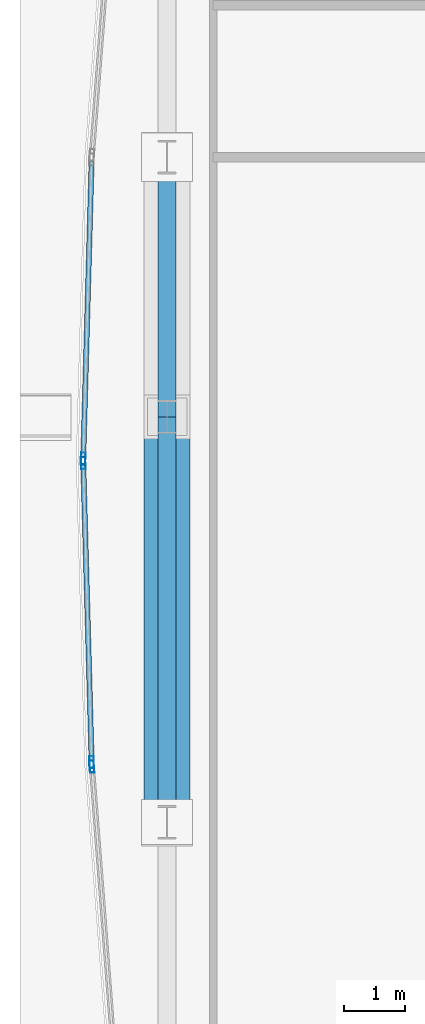
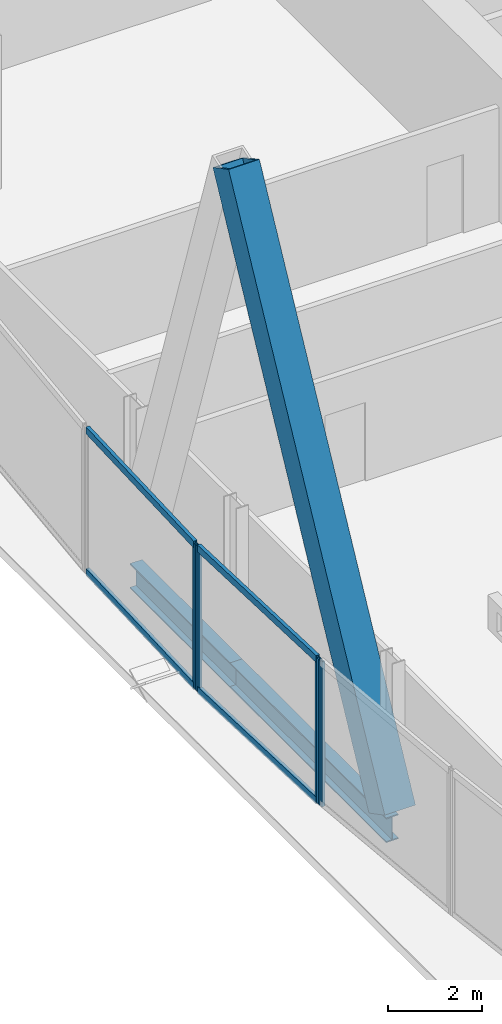
# One storey, part 9 of 32: 9 members, 2 beams, 3 elements without a shape of their own.
"""IFC4 building model written with IfcOpenShell, lengths in metres."""

from ifc_helpers import new_model, si_unit, direction, frame, origin, origin_2d, place, context, subcontext, project, spatial, hollow_rectangle, i_section, extrude, material, material_profile, profile_set, type_object, element, aggregate, save


model = new_model("IFC4")

# Units and contexts
model_context = context("Model", 3, precision=1e-05, world=origin(), true_north=direction((0.0, 1.0)))
body_context = subcontext(model_context, "Body", "Model", "MODEL_VIEW")
ifc_project = project(units=[si_unit("LENGTHUNIT", "METRE"), si_unit("AREAUNIT", "SQUARE_METRE"), si_unit("VOLUMEUNIT", "CUBIC_METRE"), si_unit("PLANEANGLEUNIT", "RADIAN"), si_unit("MASSUNIT", "GRAM", prefix="KILO")], contexts=[model_context])

# Site, building, storey
site_placement = place(None, origin())
site = spatial("IfcSite", under=ifc_project, at=site_placement, CompositionType="ELEMENT")
building_placement = place(site_placement, origin())
building = spatial("IfcBuilding", under=site, at=building_placement, Name="Khoronbel Lancet Exchange", CompositionType="ELEMENT")
storey_placement = place(building_placement, frame((0.0, 0.0, 81.800048828125)))
storey = spatial("IfcBuildingStorey", under=building, at=storey_placement, Name="L19", CompositionType="ELEMENT", Elevation=81.800048828125)

# Beams
ifc_material_1 = material(Name="Steel S355", Category="steel")
ifc_material_profile_1 = material_profile(ifc_material_1, i_section(OverallWidth=0.300048828125, OverallDepth=0.64990234375, WebThickness=0.01611328125, FlangeThickness=0.031005859375, at=origin_2d()), Name="HEB 650")
ifc_profile_set_1 = profile_set([ifc_material_profile_1], Name="Steel S355")
beam_type = type_object("IfcBeamType", Name="BM-BSP1", PredefinedType="SPANDREL", material=ifc_profile_set_1)
beam_1_placement = place(storey_placement, frame((3.27001953125, 35.699951171875, -0.505126953125), z_axis=(0.0, -1.0, 0.0), x_axis=(1.0, 0.0, 0.0)))
element("IfcBeam", 1, at=beam_1_placement, inside=storey, type_object=beam_type, Name="Level L19 perimeter spandrel beam SP16", PredefinedType="SPANDREL", context=body_context, shape_type="SweptSolid", body=[
    extrude(i_section(OverallWidth=0.300048828125, OverallDepth=0.64990234375, WebThickness=0.01611328125, FlangeThickness=0.031005859375, at=origin_2d()), origin(), (0.0, 0.0, 1.0), 4.27490234375),
])
beam_2_placement = place(storey_placement, frame((3.27001953125, 31.425048828125, -0.505126953125), z_axis=(0.0, -1.0, 0.0), x_axis=(1.0, 0.0, 0.0)))
element("IfcBeam", 2, at=beam_2_placement, inside=storey, type_object=beam_type, Name="Level L19 perimeter spandrel beam SP17", PredefinedType="SPANDREL", context=body_context, shape_type="SweptSolid", body=[
    extrude(i_section(OverallWidth=0.300048828125, OverallDepth=0.64990234375, WebThickness=0.01611328125, FlangeThickness=0.031005859375, at=origin_2d()), origin(), (0.0, 0.0, 1.0), 6.675048828125),
])

# Curtain wall, member
ifc_material_2 = material(Name="Low-E Solar Control Insulating Glass", Category="glass")
curtain_wall_type = type_object("IfcCurtainWallType", Name="CW-4", PredefinedType="NOTDEFINED", material=ifc_material_2)
curtain_wall_1_placement = place(storey_placement, origin())
curtain_wall_1 = element("IfcCurtainWall", 3, at=curtain_wall_1_placement, inside=storey, type_object=curtain_wall_type, Name="Unitised curtain wall CW-L19-E05", PredefinedType="NOTDEFINED")
ifc_material_3 = material(Name="Bronze-Anodised Aluminium 6063-T6", Category="aluminium")
ifc_material_profile_2 = material_profile(ifc_material_3, hollow_rectangle(XDim=0.074951171875, YDim=0.199951171875, WallThickness=0.0048828125, at=origin_2d()), Name="ALU MULLION 75x200")
ifc_profile_set_2 = profile_set([ifc_material_profile_2], Name="Bronze-Anodised Aluminium 6063-T6")
member_type_1 = type_object("IfcMemberType", Name="MEM-CWM2", PredefinedType="MULLION", material=ifc_profile_set_2)
member_1_placement = place(storey_placement, frame((2.033447265625, 25.667236328125, 0.0), z_axis=(0.0, 0.0, 1.0), x_axis=(-0.997059882555, -0.076626304874, 0.0)))
member_1 = element("IfcMember", 4, at=member_1_placement, type_object=member_type_1, Name="CW4 mullion 2", PredefinedType="MULLION", context=body_context, shape_type="SweptSolid", body=[
    extrude(hollow_rectangle(XDim=0.074951171875, YDim=0.199951171875, WallThickness=0.0048828125, at=origin_2d()), origin(), (0.0, 0.0, 1.0), 3.780029296875),
])
aggregate(curtain_wall_1, [member_1])

# Curtain wall, members
curtain_wall_2_placement = place(storey_placement, origin())
curtain_wall_2 = element("IfcCurtainWall", 5, at=curtain_wall_2_placement, inside=storey, type_object=curtain_wall_type, Name="Unitised curtain wall CW-L19-E06", PredefinedType="NOTDEFINED")
member_2_placement = place(storey_placement, frame((2.029541015625, 25.7421875, 0.0), z_axis=(0.0, 0.0, 1.0), x_axis=(-0.999604123662, -0.028135315146, 0.0)))
member_2 = element("IfcMember", 6, at=member_2_placement, type_object=member_type_1, Name="CW4 mullion 1", PredefinedType="MULLION", context=body_context, shape_type="SweptSolid", body=[
    extrude(hollow_rectangle(XDim=0.074951171875, YDim=0.199951171875, WallThickness=0.0048828125, at=origin_2d()), origin(), (0.0, 0.0, 1.0), 3.780029296875),
])
member_3_placement = place(storey_placement, frame((1.89111328125, 30.66259765625, 0.0), z_axis=(0.0, 0.0, 1.0), x_axis=(-0.999604123662, -0.028135315146, 0.0)))
member_3 = element("IfcMember", 7, at=member_3_placement, type_object=member_type_1, Name="CW4 mullion 2", PredefinedType="MULLION", context=body_context, shape_type="SweptSolid", body=[
    extrude(hollow_rectangle(XDim=0.074951171875, YDim=0.199951171875, WallThickness=0.0048828125, at=origin_2d()), origin(), (0.0, 0.0, 1.0), 3.780029296875),
])

# Curtain wall, member
curtain_wall_3_placement = place(storey_placement, origin())
curtain_wall_3 = element("IfcCurtainWall", 8, at=curtain_wall_3_placement, inside=storey, type_object=curtain_wall_type, Name="Unitised curtain wall CW-L19-E07", PredefinedType="NOTDEFINED")
member_4_placement = place(storey_placement, frame((1.89111328125, 30.737548828125, 0.0), z_axis=(0.0, 0.0, 1.0), x_axis=(-0.999604123662, 0.028135315146, 0.0)))
member_4 = element("IfcMember", 9, at=member_4_placement, type_object=member_type_1, Name="CW4 mullion 1", PredefinedType="MULLION", context=body_context, shape_type="SweptSolid", body=[
    extrude(hollow_rectangle(XDim=0.074951171875, YDim=0.199951171875, WallThickness=0.0048828125, at=origin_2d()), origin(), (0.0, 0.0, 1.0), 3.780029296875),
])

# Member
ifc_material_profile_3 = material_profile(ifc_material_3, hollow_rectangle(XDim=0.0849609375, YDim=0.179931640625, WallThickness=0.0048828125, at=origin_2d()), Name="ALU TRANSOM 85x180")
ifc_profile_set_3 = profile_set([ifc_material_profile_3], Name="Bronze-Anodised Aluminium 6063-T6")
member_type_2 = type_object("IfcMemberType", Name="MEM-CWT1", PredefinedType="USERDEFINED", material=ifc_profile_set_3)
member_5_placement = place(storey_placement, frame((2.028564453125, 25.77978515625, 0.04248046875), z_axis=(-0.02815571823, 0.999603549179, 0.0), x_axis=(-0.999603549179, -0.02815571823, 0.0)))
member_5 = element("IfcMember", 10, at=member_5_placement, type_object=member_type_2, Name="CW4 transom 1.1", ObjectType="TRANSOM", PredefinedType="USERDEFINED", context=body_context, shape_type="SweptSolid", body=[
    extrude(hollow_rectangle(XDim=0.0849609375, YDim=0.179931640625, WallThickness=0.0048828125, at=origin_2d()), origin(), (0.0, 0.0, 1.0), 4.84716796875),
])

member_6_placement = place(storey_placement, frame((2.028564453125, 25.77978515625, 3.737548828125), z_axis=(-0.02815571823, 0.999603549179, 0.0), x_axis=(-0.999603549179, -0.02815571823, 0.0)))
member_6 = element("IfcMember", 11, at=member_6_placement, type_object=member_type_2, Name="CW4 transom 1.2", ObjectType="TRANSOM", PredefinedType="USERDEFINED", context=body_context, shape_type="SweptSolid", body=[
    extrude(hollow_rectangle(XDim=0.0849609375, YDim=0.179931640625, WallThickness=0.0048828125, at=origin_2d()), origin(), (0.0, 0.0, 1.0), 4.84716796875),
])

aggregate(curtain_wall_2, [member_2, member_3, member_5, member_6])

member_7_placement = place(storey_placement, frame((1.89208984375, 30.77490234375, 0.04248046875), z_axis=(0.028154300716, 0.999603589105, 0.0), x_axis=(-0.999603589105, 0.028154300716, 0.0)))
member_7 = element("IfcMember", 12, at=member_7_placement, type_object=member_type_2, Name="CW4 transom 1.1", ObjectType="TRANSOM", PredefinedType="USERDEFINED", context=body_context, shape_type="SweptSolid", body=[
    extrude(hollow_rectangle(XDim=0.0849609375, YDim=0.179931640625, WallThickness=0.0048828125, at=origin_2d()), origin(), (0.0, 0.0, 1.0), 4.847412109375),
])

member_8_placement = place(storey_placement, frame((1.89208984375, 30.77490234375, 3.737548828125), z_axis=(0.028154300716, 0.999603589105, 0.0), x_axis=(-0.999603589105, 0.028154300716, 0.0)))
member_8 = element("IfcMember", 13, at=member_8_placement, type_object=member_type_2, Name="CW4 transom 1.2", ObjectType="TRANSOM", PredefinedType="USERDEFINED", context=body_context, shape_type="SweptSolid", body=[
    extrude(hollow_rectangle(XDim=0.0849609375, YDim=0.179931640625, WallThickness=0.0048828125, at=origin_2d()), origin(), (0.0, 0.0, 1.0), 4.847412109375),
])

aggregate(curtain_wall_3, [member_4, member_7, member_8])

ifc_material_4 = material(Name="Steel S460", Category="steel")
ifc_material_profile_4 = material_profile(ifc_material_4, hollow_rectangle(XDim=0.760009765625, YDim=0.760009765625, WallThickness=0.054931640625, at=origin_2d()), Name="BOX 760x760x55")
ifc_profile_set_4 = profile_set([ifc_material_profile_4], Name="Steel S460")
member_type_3 = type_object("IfcMemberType", Name="MEM-MB1", PredefinedType="BRACE", material=ifc_profile_set_4)
member_9_placement = place(storey_placement, frame((3.27001953125, 24.75, 0.0), z_axis=(0.0, 0.462389716195, 0.886676801522), x_axis=(-1.0, 0.0, 0.0)))
element("IfcMember", 14, at=member_9_placement, inside=storey, type_object=member_type_3, Name="Perimeter lancet brace tier 6 W-P-L", PredefinedType="BRACE", context=body_context, shape_type="SweptSolid", body=[
    extrude(hollow_rectangle(XDim=0.760009765625, YDim=0.760009765625, WallThickness=0.054931640625, at=origin_2d()), origin(), (0.0, 0.0, 1.0), 14.43603515625),
])

save(model, "model.ifc")
